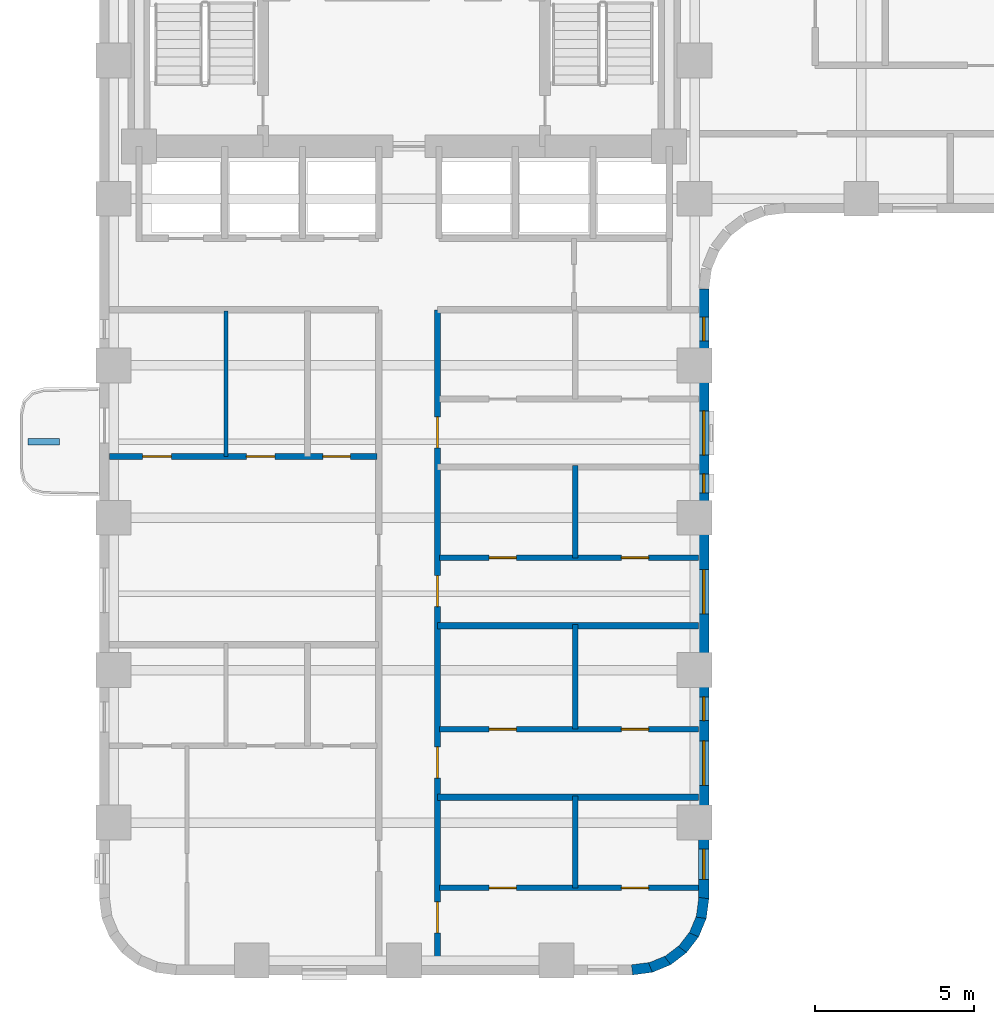
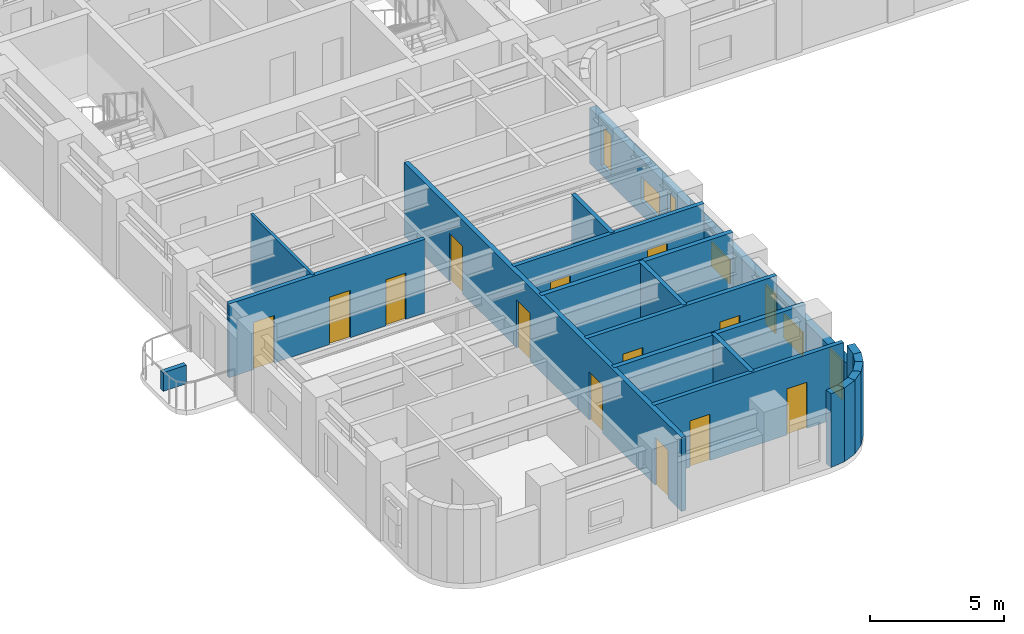
# One storey, part 3 of 12: 19 walls, 13 doors, 7 windows, 20 openings.
"""IFC4 building model written with IfcOpenShell, lengths in metres."""

from ifc_helpers import new_model, si_unit, direction, frame, frame_2d, origin, place, context, subcontext, project, spatial, rectangle, extrude, material, layer, layer_set, type_object, element, fill, save


model = new_model("IFC4")

# Units and contexts
model_context = context("Model", 3, precision=1e-05, world=origin(), true_north=direction((0.0, 1.0)))
body_context = subcontext(model_context, "Body", "Model", "MODEL_VIEW")
ifc_project = project(units=[si_unit("LENGTHUNIT", "METRE"), si_unit("AREAUNIT", "SQUARE_METRE"), si_unit("VOLUMEUNIT", "CUBIC_METRE"), si_unit("PLANEANGLEUNIT", "RADIAN"), si_unit("MASSUNIT", "GRAM", prefix="KILO")], contexts=[model_context])

# Site, building, storey
site_placement = place(None, origin())
site = spatial("IfcSite", under=ifc_project, at=site_placement, CompositionType="ELEMENT")
building_placement = place(site_placement, origin())
building = spatial("IfcBuilding", under=site, at=building_placement, Name="Orvandelia Arch Residences", CompositionType="ELEMENT")
storey_placement = place(building_placement, frame((0.0, 0.0, 57.39990234375)))
storey = spatial("IfcBuildingStorey", under=building, at=storey_placement, Name="L14", CompositionType="ELEMENT", Elevation=57.39990234375)

# Wall, openings, doors
ifc_material_1 = material(Name="Fire-Rated Corridor Partition")
ifc_layer_1 = layer(ifc_material_1, 0.199951171875, Name="Fire-Rated Corridor Partition")
ifc_layer_set_1 = layer_set([ifc_layer_1], Name="Fire-Rated Corridor Partition")
wall_type_1 = type_object("IfcWallType", Name="WL-CORR-200", PredefinedType="PARTITIONING", material=ifc_layer_set_1)
wall_1_placement = place(storey_placement, frame((15.449951171875, 5.1201171875, 0.0), z_axis=(0.0, 0.0, 1.0), x_axis=(0.0, 1.0, 0.0)))
wall_1 = element("IfcWall", 1, at=wall_1_placement, inside=storey, type_object=wall_type_1, Name="Interior Partition Wall WL-L14-WC-E", PredefinedType="PARTITIONING", context=body_context, shape_type="SweptSolid", body=[
    extrude(rectangle(XDim=20.6298828125, YDim=0.199951171875, at=frame_2d((10.31494140625, 0.0))), origin(), (0.0, 0.0, 1.0), 3.35009765625),
])
opening_1_placement = place(wall_1_placement, frame((1.0009765625, 0.0, 0.0)))
opening_1 = element("IfcOpeningElement", 2, at=opening_1_placement, cuts=wall_1, Name="Opening D1", PredefinedType="OPENING", context=body_context, shape_type="SweptSolid", body=[
    extrude(rectangle(XDim=0.97998046875, YDim=2.179931640625, at=frame_2d((0.489990234375, 1.08984375))), frame((0.0, 0.10986328125, 0.0), z_axis=(0.0, -1.0, 0.0), x_axis=(1.0, 0.0, 0.0)), (0.0, 0.0, 1.0), 0.219970703125),
])
opening_2_placement = place(wall_1_placement, frame((5.8798828125, 0.0, 0.0)))
opening_2 = element("IfcOpeningElement", 3, at=opening_2_placement, cuts=wall_1, Name="Opening D1", PredefinedType="OPENING", context=body_context, shape_type="SweptSolid", body=[
    extrude(rectangle(XDim=0.97998046875, YDim=2.179931640625, at=frame_2d((0.489990234375, 1.08984375))), frame((0.0, 0.10986328125, 0.0), z_axis=(0.0, -1.0, 0.0), x_axis=(1.0, 0.0, 0.0)), (0.0, 0.0, 1.0), 0.219970703125),
])
opening_3_placement = place(wall_1_placement, frame((11.280029296875, 0.0, 0.0)))
opening_3 = element("IfcOpeningElement", 4, at=opening_3_placement, cuts=wall_1, Name="Opening D1", PredefinedType="OPENING", context=body_context, shape_type="SweptSolid", body=[
    extrude(rectangle(XDim=0.97998046875, YDim=2.179931640625, at=frame_2d((0.489990234375, 1.08984375))), frame((0.0, 0.10986328125, 0.0), z_axis=(0.0, -1.0, 0.0), x_axis=(1.0, 0.0, 0.0)), (0.0, 0.0, 1.0), 0.219970703125),
])
opening_4_placement = place(wall_1_placement, frame((16.280029296875, 0.0, 0.0)))
opening_4 = element("IfcOpeningElement", 5, at=opening_4_placement, cuts=wall_1, Name="Opening D1", PredefinedType="OPENING", context=body_context, shape_type="SweptSolid", body=[
    extrude(rectangle(XDim=0.97998046875, YDim=2.179931640625, at=frame_2d((0.489990234375, 1.08984375))), frame((0.0, 0.10986328125, 0.0), z_axis=(0.0, -1.0, 0.0), x_axis=(1.0, 0.0, 0.0)), (0.0, 0.0, 1.0), 0.219970703125),
])
ifc_material_2 = material(Name="Solid-Core Timber Acoustic Fire Door", Category="wood")
door_type_1 = type_object("IfcDoorType", Name="DR-ENT-980", OperationType="NOTDEFINED", PredefinedType="DOOR", material=ifc_material_2)
door_1_placement = place(opening_1_placement, origin())
door_1 = element("IfcDoor", 6, at=door_1_placement, inside=storey, type_object=door_type_1, Name="Unit L14-03 Entrance Door", OperationType="SINGLE_SWING_LEFT", OverallHeight=2.179931640625, OverallWidth=0.97998046875, PredefinedType="DOOR", context=body_context, shape_type="SweptSolid", body=[
    extrude(rectangle(XDim=0.97998046875, YDim=2.179931640625, at=frame_2d((0.489990234375, 1.08984375))), frame((0.0, 0.02490234375, 0.0), z_axis=(0.0, -1.0, 0.0), x_axis=(1.0, 0.0, 0.0)), (0.0, 0.0, 1.0), 0.050048828125),
])
fill(opening_1, door_1)
door_2_placement = place(opening_2_placement, origin())
door_2 = element("IfcDoor", 7, at=door_2_placement, inside=storey, type_object=door_type_1, Name="Unit L14-04 Entrance Door", OperationType="SINGLE_SWING_RIGHT", OverallHeight=2.179931640625, OverallWidth=0.97998046875, PredefinedType="DOOR", context=body_context, shape_type="SweptSolid", body=[
    extrude(rectangle(XDim=0.97998046875, YDim=2.179931640625, at=frame_2d((0.489990234375, 1.08984375))), frame((0.0, 0.02490234375, 0.0), z_axis=(0.0, -1.0, 0.0), x_axis=(1.0, 0.0, 0.0)), (0.0, 0.0, 1.0), 0.050048828125),
])
fill(opening_2, door_2)
door_3_placement = place(opening_3_placement, origin())
door_3 = element("IfcDoor", 8, at=door_3_placement, inside=storey, type_object=door_type_1, Name="Unit L14-05 Entrance Door", OperationType="SINGLE_SWING_LEFT", OverallHeight=2.179931640625, OverallWidth=0.97998046875, PredefinedType="DOOR", context=body_context, shape_type="SweptSolid", body=[
    extrude(rectangle(XDim=0.97998046875, YDim=2.179931640625, at=frame_2d((0.489990234375, 1.08984375))), frame((0.0, 0.02490234375, 0.0), z_axis=(0.0, -1.0, 0.0), x_axis=(1.0, 0.0, 0.0)), (0.0, 0.0, 1.0), 0.050048828125),
])
fill(opening_3, door_3)
door_4_placement = place(opening_4_placement, origin())
door_4 = element("IfcDoor", 9, at=door_4_placement, inside=storey, type_object=door_type_1, Name="Unit L14-06 Entrance Door", OperationType="SINGLE_SWING_RIGHT", OverallHeight=2.179931640625, OverallWidth=0.97998046875, PredefinedType="DOOR", context=body_context, shape_type="SweptSolid", body=[
    extrude(rectangle(XDim=0.97998046875, YDim=2.179931640625, at=frame_2d((0.489990234375, 1.08984375))), frame((0.0, 0.02490234375, 0.0), z_axis=(0.0, -1.0, 0.0), x_axis=(1.0, 0.0, 0.0)), (0.0, 0.0, 1.0), 0.050048828125),
])
fill(opening_4, door_4)

# Walls
ifc_material_3 = material(Name="Concrete C40/50", Category="concrete")
ifc_layer_2 = layer(ifc_material_3, 0.199951171875, Name="Concrete C40/50", Category="concrete")
ifc_layer_set_2 = layer_set([ifc_layer_2], Name="Concrete C40/50")
wall_type_2 = type_object("IfcWallType", Name="WL-DEM-200", PredefinedType="SOLIDWALL", material=ifc_layer_set_2)
for number, where, z_axis, x_axis, name in (
    (10, (15.449951171875, 10.39990234375, 0.0), (0.0, 0.0, 1.0), (1.0, 0.0, 0.0), "Interior Partition Wall WL-L14-DEM-WR-104"),
    (11, (15.449951171875, 15.800048828125, 0.0), (0.0, 0.0, 1.0), (1.0, 0.0, 0.0), "Interior Partition Wall WL-L14-DEM-WR-158"),
):
    element("IfcWall", number, at=place(storey_placement, frame(where, z_axis=z_axis, x_axis=x_axis)), inside=storey, type_object=wall_type_2, Name=name, PredefinedType="SOLIDWALL", context=body_context, shape_type="SweptSolid", body=[
        extrude(rectangle(XDim=8.22998046875, YDim=0.199951171875, at=frame_2d((4.114990234375, 0.0))), origin(), (0.0, 0.0, 1.0), 3.35009765625),
    ])

# Wall, openings, windows
ifc_material_4 = material(Name="Precast concrete C40/50", Category="concrete")
ifc_layer_3 = layer(ifc_material_4, 0.320068359375, Name="Precast concrete C40/50", Category="concrete")
ifc_layer_set_3 = layer_set([ifc_layer_3], Name="Precast concrete C40/50")
wall_type_3 = type_object("IfcWallType", Name="WL-EXT-STONE-320", PredefinedType="STANDARD", material=ifc_layer_set_3)
wall_2_placement = place(storey_placement, frame((23.840087890625, 26.39990234375, 0.0), z_axis=(0.0, 0.0, 1.0), x_axis=(0.0, -1.0, 0.0)))
wall_2 = element("IfcWall", 12, at=wall_2_placement, inside=storey, type_object=wall_type_3, Name="Coral-Limestone Precast Facade Wall L14-028", PredefinedType="STANDARD", context=body_context, shape_type="SweptSolid", body=[
    extrude(rectangle(XDim=19.199951171875, YDim=0.320068359375, at=frame_2d((9.60009765625, 0.0))), origin(), (0.0, 0.0, 1.0), 2.530029296875),
])
opening_5_placement = place(wall_2_placement, frame((14.22998046875, 0.0, 0.64990234375)))
opening_5 = element("IfcOpeningElement", 13, at=opening_5_placement, cuts=wall_2, Name="Opening W10", PredefinedType="OPENING", context=body_context, shape_type="SweptSolid", body=[
    extrude(rectangle(XDim=1.39990234375, YDim=1.10009765625, at=frame_2d((0.699951171875, 0.550048828125))), frame((0.0, 0.169921875, 0.0), z_axis=(0.0, -1.0, 0.0), x_axis=(1.0, 0.0, 0.0)), (0.0, 0.0, 1.0), 0.340087890625),
])
opening_6_placement = place(wall_2_placement, frame((8.830078125, 0.0, 0.64990234375)))
opening_6 = element("IfcOpeningElement", 14, at=opening_6_placement, cuts=wall_2, Name="Opening W10", PredefinedType="OPENING", context=body_context, shape_type="SweptSolid", body=[
    extrude(rectangle(XDim=1.39990234375, YDim=1.10009765625, at=frame_2d((0.699951171875, 0.550048828125))), frame((0.0, 0.169921875, 0.0), z_axis=(0.0, -1.0, 0.0), x_axis=(1.0, 0.0, 0.0)), (0.0, 0.0, 1.0), 0.340087890625),
])
opening_7_placement = place(wall_2_placement, frame((3.830078125, 0.0, 0.64990234375)))
opening_7 = element("IfcOpeningElement", 15, at=opening_7_placement, cuts=wall_2, Name="Opening W10", PredefinedType="OPENING", context=body_context, shape_type="SweptSolid", body=[
    extrude(rectangle(XDim=1.39990234375, YDim=1.10009765625, at=frame_2d((0.699951171875, 0.550048828125))), frame((0.0, 0.169921875, 0.0), z_axis=(0.0, -1.0, 0.0), x_axis=(1.0, 0.0, 0.0)), (0.0, 0.0, 1.0), 0.340087890625),
])
opening_8_placement = place(wall_2_placement, frame((17.638916015625, 0.0, 0.449951171875)))
opening_8 = element("IfcOpeningElement", 16, at=opening_8_placement, cuts=wall_2, Name="Opening W4", PredefinedType="OPENING", context=body_context, shape_type="SweptSolid", body=[
    extrude(rectangle(XDim=0.949951171875, YDim=1.800048828125, at=frame_2d((0.47509765625, 0.89990234375))), frame((0.0, 0.169921875, 0.0), z_axis=(0.0, -1.0, 0.0), x_axis=(1.0, 0.0, 0.0)), (0.0, 0.0, 1.0), 0.340087890625),
])
opening_9_placement = place(wall_2_placement, frame((12.840087890625, 0.0, 0.449951171875)))
opening_9 = element("IfcOpeningElement", 17, at=opening_9_placement, cuts=wall_2, Name="Opening W11", PredefinedType="OPENING", context=body_context, shape_type="SweptSolid", body=[
    extrude(rectangle(XDim=0.75, YDim=1.800048828125, at=frame_2d((0.375, 0.89990234375))), frame((0.0, 0.169921875, 0.0), z_axis=(0.0, -1.0, 0.0), x_axis=(1.0, 0.0, 0.0)), (0.0, 0.0, 1.0), 0.340087890625),
])
opening_10_placement = place(wall_2_placement, frame((5.81494140625, 0.0, 0.449951171875)))
opening_10 = element("IfcOpeningElement", 18, at=opening_10_placement, cuts=wall_2, Name="Opening W12", PredefinedType="OPENING", context=body_context, shape_type="SweptSolid", body=[
    extrude(rectangle(XDim=0.60009765625, YDim=1.800048828125, at=frame_2d((0.300048828125, 0.89990234375))), frame((0.0, 0.169921875, 0.0), z_axis=(0.0, -1.0, 0.0), x_axis=(1.0, 0.0, 0.0)), (0.0, 0.0, 1.0), 0.340087890625),
])
opening_11_placement = place(wall_2_placement, frame((0.8798828125, 0.0, 0.449951171875)))
opening_11 = element("IfcOpeningElement", 19, at=opening_11_placement, cuts=wall_2, Name="Opening W11", PredefinedType="OPENING", context=body_context, shape_type="SweptSolid", body=[
    extrude(rectangle(XDim=0.75, YDim=1.800048828125, at=frame_2d((0.375, 0.89990234375))), frame((0.0, 0.169921875, 0.0), z_axis=(0.0, -1.0, 0.0), x_axis=(1.0, 0.0, 0.0)), (0.0, 0.0, 1.0), 0.340087890625),
])
ifc_material_5 = material(Name="Tempered Low-E Insulated Glazing", Category="glass")
window_type_1 = type_object("IfcWindowType", Name="WIN-BED-0750x1800", PartitioningType="SINGLE_PANEL", PredefinedType="WINDOW", material=ifc_material_5)
window_1_placement = place(opening_9_placement, origin())
window_1 = element("IfcWindow", 20, at=window_1_placement, inside=storey, type_object=window_type_1, Name="Recessed Punched Window L14-020", OverallHeight=1.800048828125, OverallWidth=0.75, PartitioningType="SINGLE_PANEL", PredefinedType="WINDOW", context=body_context, shape_type="SweptSolid", body=[
    extrude(rectangle(XDim=0.75, YDim=1.800048828125, at=frame_2d((0.375, 0.89990234375))), frame((0.0, 0.030029296875, 0.0), z_axis=(0.0, -1.0, 0.0), x_axis=(1.0, 0.0, 0.0)), (0.0, 0.0, 1.0), 0.06005859375),
])
fill(opening_9, window_1)
window_2_placement = place(opening_11_placement, origin())
window_2 = element("IfcWindow", 21, at=window_2_placement, inside=storey, type_object=window_type_1, Name="Recessed Punched Window L14-022", OverallHeight=1.800048828125, OverallWidth=0.75, PartitioningType="SINGLE_PANEL", PredefinedType="WINDOW", context=body_context, shape_type="SweptSolid", body=[
    extrude(rectangle(XDim=0.75, YDim=1.800048828125, at=frame_2d((0.375, 0.89990234375))), frame((0.0, 0.030029296875, 0.0), z_axis=(0.0, -1.0, 0.0), x_axis=(1.0, 0.0, 0.0)), (0.0, 0.0, 1.0), 0.06005859375),
])
fill(opening_11, window_2)
window_type_2 = type_object("IfcWindowType", Name="WIN-CLR-1400x1100", PartitioningType="SINGLE_PANEL", PredefinedType="WINDOW", material=ifc_material_5)
window_3_placement = place(opening_5_placement, origin())
window_3 = element("IfcWindow", 22, at=window_3_placement, inside=storey, type_object=window_type_2, Name="Recessed Punched Window L14-016", OverallHeight=1.10009765625, OverallWidth=1.39990234375, PartitioningType="SINGLE_PANEL", PredefinedType="WINDOW", context=body_context, shape_type="SweptSolid", body=[
    extrude(rectangle(XDim=1.39990234375, YDim=1.10009765625, at=frame_2d((0.699951171875, 0.550048828125))), frame((0.0, 0.030029296875, 0.0), z_axis=(0.0, -1.0, 0.0), x_axis=(1.0, 0.0, 0.0)), (0.0, 0.0, 1.0), 0.06005859375),
])
fill(opening_5, window_3)
window_4_placement = place(opening_6_placement, origin())
window_4 = element("IfcWindow", 23, at=window_4_placement, inside=storey, type_object=window_type_2, Name="Recessed Punched Window L14-017", OverallHeight=1.10009765625, OverallWidth=1.39990234375, PartitioningType="SINGLE_PANEL", PredefinedType="WINDOW", context=body_context, shape_type="SweptSolid", body=[
    extrude(rectangle(XDim=1.39990234375, YDim=1.10009765625, at=frame_2d((0.699951171875, 0.550048828125))), frame((0.0, 0.030029296875, 0.0), z_axis=(0.0, -1.0, 0.0), x_axis=(1.0, 0.0, 0.0)), (0.0, 0.0, 1.0), 0.06005859375),
])
fill(opening_6, window_4)
window_5_placement = place(opening_7_placement, origin())
window_5 = element("IfcWindow", 24, at=window_5_placement, inside=storey, type_object=window_type_2, Name="Recessed Punched Window L14-018", OverallHeight=1.10009765625, OverallWidth=1.39990234375, PartitioningType="SINGLE_PANEL", PredefinedType="WINDOW", context=body_context, shape_type="SweptSolid", body=[
    extrude(rectangle(XDim=1.39990234375, YDim=1.10009765625, at=frame_2d((0.699951171875, 0.550048828125))), frame((0.0, 0.030029296875, 0.0), z_axis=(0.0, -1.0, 0.0), x_axis=(1.0, 0.0, 0.0)), (0.0, 0.0, 1.0), 0.06005859375),
])
fill(opening_7, window_5)
window_type_3 = type_object("IfcWindowType", Name="WIN-LAN-0600x1800", PartitioningType="SINGLE_PANEL", PredefinedType="WINDOW", material=ifc_material_5)
window_6_placement = place(opening_10_placement, origin())
window_6 = element("IfcWindow", 25, at=window_6_placement, inside=storey, type_object=window_type_3, Name="Recessed Punched Window L14-021", OverallHeight=1.800048828125, OverallWidth=0.60009765625, PartitioningType="SINGLE_PANEL", PredefinedType="WINDOW", context=body_context, shape_type="SweptSolid", body=[
    extrude(rectangle(XDim=0.60009765625, YDim=1.800048828125, at=frame_2d((0.300048828125, 0.89990234375))), frame((0.0, 0.030029296875, 0.0), z_axis=(0.0, -1.0, 0.0), x_axis=(1.0, 0.0, 0.0)), (0.0, 0.0, 1.0), 0.06005859375),
])
fill(opening_10, window_6)
window_type_4 = type_object("IfcWindowType", Name="WIN-RES-0950x1800", PartitioningType="SINGLE_PANEL", PredefinedType="WINDOW", material=ifc_material_5)
window_7_placement = place(opening_8_placement, origin())
window_7 = element("IfcWindow", 26, at=window_7_placement, inside=storey, type_object=window_type_4, Name="Recessed Punched Window L14-019", OverallHeight=1.800048828125, OverallWidth=0.949951171875, PartitioningType="SINGLE_PANEL", PredefinedType="WINDOW", context=body_context, shape_type="SweptSolid", body=[
    extrude(rectangle(XDim=0.949951171875, YDim=1.800048828125, at=frame_2d((0.47509765625, 0.89990234375))), frame((0.0, 0.030029296875, 0.0), z_axis=(0.0, -1.0, 0.0), x_axis=(1.0, 0.0, 0.0)), (0.0, 0.0, 1.0), 0.06005859375),
])
fill(opening_8, window_7)

# Walls
wall_3_placement = place(storey_placement, frame((23.84130859375, 7.220947265625, 0.0), z_axis=(0.0, 0.0, 1.0), x_axis=(-0.130504898859, -0.991447664465, 0.0)))
element("IfcWall", 27, at=wall_3_placement, inside=storey, type_object=wall_type_3, Name="Coral-Limestone Precast Facade Wall L14-029", PredefinedType="STANDARD", context=body_context, shape_type="SweptSolid", body=[
    extrude(rectangle(XDim=0.626708984375, YDim=0.320068359375, at=frame_2d((0.3134765625, 0.0))), origin(), (0.0, 0.0, 1.0), 3.35009765625),
])
wall_4_placement = place(storey_placement, frame((23.7705078125, 6.639892578125, 0.0), z_axis=(0.0, 0.0, 1.0), x_axis=(-0.382787856107, -0.923836271867, 0.0)))
element("IfcWall", 28, at=wall_4_placement, inside=storey, type_object=wall_type_3, Name="Coral-Limestone Precast Facade Wall L14-030", PredefinedType="STANDARD", context=body_context, shape_type="SweptSolid", body=[
    extrude(rectangle(XDim=0.626220703125, YDim=0.320068359375, at=frame_2d((0.31298828125, 0.0))), origin(), (0.0, 0.0, 1.0), 3.35009765625),
])
wall_5_placement = place(storey_placement, frame((23.551513671875, 6.097412109375, 0.0), z_axis=(0.0, 0.0, 1.0), x_axis=(-0.608693302629, -0.793405610854, 0.0)))
element("IfcWall", 29, at=wall_5_placement, inside=storey, type_object=wall_type_3, Name="Coral-Limestone Precast Facade Wall L14-031", PredefinedType="STANDARD", context=body_context, shape_type="SweptSolid", body=[
    extrude(rectangle(XDim=0.62646484375, YDim=0.320068359375, at=frame_2d((0.313232421875, 0.0))), origin(), (0.0, 0.0, 1.0), 3.35009765625),
])
wall_6_placement = place(storey_placement, frame((23.19970703125, 5.6298828125, 0.0), z_axis=(0.0, 0.0, 1.0), x_axis=(-0.7932174212, -0.608938521285, 0.0)))
element("IfcWall", 30, at=wall_6_placement, inside=storey, type_object=wall_type_3, Name="Coral-Limestone Precast Facade Wall L14-032", PredefinedType="STANDARD", context=body_context, shape_type="SweptSolid", body=[
    extrude(rectangle(XDim=0.626708984375, YDim=0.320068359375, at=frame_2d((0.3134765625, 0.0))), origin(), (0.0, 0.0, 1.0), 3.35009765625),
])
for number, where, z_axis, x_axis, name in (
    (31, (22.73876953125, 5.269287109375, 0.0), (0.0, 0.0, 1.0), (-0.92389335771, -0.382650053678, 0.0), "Coral-Limestone Precast Facade Wall L14-033"),
    (32, (22.2001953125, 5.040283203125, 0.0), (0.0, 0.0, 1.0), (-0.9914410257, -0.130555323746, 0.0), "Coral-Limestone Precast Facade Wall L14-034"),
):
    element("IfcWall", number, at=place(storey_placement, frame(where, z_axis=z_axis, x_axis=x_axis)), inside=storey, type_object=wall_type_3, Name=name, PredefinedType="STANDARD", context=body_context, shape_type="SweptSolid", body=[
        extrude(rectangle(XDim=0.62646484375, YDim=0.320068359375, at=frame_2d((0.313232421875, 0.0))), origin(), (0.0, 0.0, 1.0), 3.35009765625),
    ])
ifc_material_6 = material(Name="Lightweight Gypsum Stud Partition")
ifc_layer_4 = layer(ifc_material_6, 0.1201171875, Name="Lightweight Gypsum Stud Partition")
ifc_layer_set_4 = layer_set([ifc_layer_4], Name="Lightweight Gypsum Stud Partition")
wall_type_4 = type_object("IfcWallType", Name="WL-PART-120", PredefinedType="PARTITIONING", material=ifc_layer_set_4)
wall_7_placement = place(storey_placement, frame((8.791015625, 21.132080078125, 0.0), z_axis=(0.0, 0.0, 1.0), x_axis=(0.0, 1.0, 0.0)))
element("IfcWall", 33, at=wall_7_placement, inside=storey, type_object=wall_type_4, Name="Interior Partition Wall WL-L14-U02-V1", PredefinedType="PARTITIONING", context=body_context, shape_type="SweptSolid", body=[
    extrude(rectangle(XDim=4.587890625, YDim=0.1201171875, at=frame_2d((2.2939453125, 0.0))), origin(), (0.0, 0.0, 1.0), 3.35009765625),
])
ifc_layer_5 = layer(ifc_material_4, 0.199951171875, Name="Precast concrete C40/50", Category="concrete")
ifc_layer_set_5 = layer_set([ifc_layer_5], Name="Precast concrete C40/50")
wall_type_5 = type_object("IfcWallType", Name="WL-PLANTER-200", PredefinedType="MOVABLE", material=ifc_layer_set_5)
wall_8_placement = place(storey_placement, frame((2.550048828125, 21.60009765625, 0.0), z_axis=(0.0, 0.0, 1.0), x_axis=(1.0, 0.0, 0.0)))
element("IfcWall", 34, at=wall_8_placement, inside=storey, type_object=wall_type_5, Name="Balcony Precast Tree Planter BAL-L14-W1", PredefinedType="MOVABLE", context=body_context, shape_type="SweptSolid", body=[
    extrude(rectangle(XDim=1.0, YDim=0.199951171875, at=frame_2d((0.5, 0.0))), origin(), (0.0, 0.0, 1.0), 0.85009765625),
])

# Wall, openings, doors
ifc_material_7 = material(Name="Moisture-Resistant Plumbing Wall")
ifc_layer_6 = layer(ifc_material_7, 0.179931640625, Name="Moisture-Resistant Plumbing Wall")
ifc_layer_set_6 = layer_set([ifc_layer_6], Name="Moisture-Resistant Plumbing Wall")
wall_type_6 = type_object("IfcWallType", Name="WL-WET-180", PredefinedType="PLUMBINGWALL", material=ifc_layer_set_6)
wall_9_placement = place(storey_placement, frame((5.1201171875, 21.132080078125, 0.0), z_axis=(0.0, 0.0, 1.0), x_axis=(1.0, 0.0, 0.0)))
wall_9 = element("IfcWall", 35, at=wall_9_placement, inside=storey, type_object=wall_type_6, Name="Interior Partition Wall WL-L14-U02-HZ", PredefinedType="PLUMBINGWALL", context=body_context, shape_type="SweptSolid", body=[
    extrude(rectangle(XDim=8.419921875, YDim=0.179931640625, at=frame_2d((4.2099609375, 0.0))), origin(), (0.0, 0.0, 1.0), 3.35009765625),
])
opening_12_placement = place(wall_9_placement, frame((1.04638671875, 0.0, 0.0)))
opening_12 = element("IfcOpeningElement", 36, at=opening_12_placement, cuts=wall_9, Name="Opening D3", PredefinedType="OPENING", context=body_context, shape_type="SweptSolid", body=[
    extrude(rectangle(XDim=0.89990234375, YDim=2.14990234375, at=frame_2d((0.449951171875, 1.074951171875))), frame((0.0, 0.10009765625, 0.0), z_axis=(0.0, -1.0, 0.0), x_axis=(1.0, 0.0, 0.0)), (0.0, 0.0, 1.0), 0.199951171875),
])
opening_13_placement = place(wall_9_placement, frame((4.307373046875, 0.0, 0.0)))
opening_13 = element("IfcOpeningElement", 37, at=opening_13_placement, cuts=wall_9, Name="Opening D3", PredefinedType="OPENING", context=body_context, shape_type="SweptSolid", body=[
    extrude(rectangle(XDim=0.89990234375, YDim=2.14990234375, at=frame_2d((0.449951171875, 1.074951171875))), frame((0.0, 0.10009765625, 0.0), z_axis=(0.0, -1.0, 0.0), x_axis=(1.0, 0.0, 0.0)), (0.0, 0.0, 1.0), 0.199951171875),
])
opening_14_placement = place(wall_9_placement, frame((6.723388671875, 0.0, 0.0)))
opening_14 = element("IfcOpeningElement", 38, at=opening_14_placement, cuts=wall_9, Name="Opening D4", PredefinedType="OPENING", context=body_context, shape_type="SweptSolid", body=[
    extrude(rectangle(XDim=0.860107421875, YDim=2.10009765625, at=frame_2d((0.43017578125, 1.050048828125))), frame((0.0, 0.10009765625, 0.0), z_axis=(0.0, -1.0, 0.0), x_axis=(1.0, 0.0, 0.0)), (0.0, 0.0, 1.0), 0.199951171875),
])
ifc_material_8 = material(Name="Engineered Timber Flush Door", Category="wood")
door_type_2 = type_object("IfcDoorType", Name="DR-INT-900", OperationType="NOTDEFINED", PredefinedType="DOOR", material=ifc_material_8)
door_5_placement = place(opening_12_placement, origin())
door_5 = element("IfcDoor", 39, at=door_5_placement, inside=storey, type_object=door_type_2, Name="DR-L14-U02-BD1", OperationType="SINGLE_SWING_RIGHT", OverallHeight=2.14990234375, OverallWidth=0.89990234375, PredefinedType="DOOR", context=body_context, shape_type="SweptSolid", body=[
    extrude(rectangle(XDim=0.89990234375, YDim=2.14990234375, at=frame_2d((0.449951171875, 1.074951171875))), frame((0.0, 0.02490234375, 0.0), z_axis=(0.0, -1.0, 0.0), x_axis=(1.0, 0.0, 0.0)), (0.0, 0.0, 1.0), 0.050048828125),
])
fill(opening_12, door_5)
door_6_placement = place(opening_13_placement, origin())
door_6 = element("IfcDoor", 40, at=door_6_placement, inside=storey, type_object=door_type_2, Name="DR-L14-U02-KIT", OperationType="SINGLE_SWING_LEFT", OverallHeight=2.14990234375, OverallWidth=0.89990234375, PredefinedType="DOOR", context=body_context, shape_type="SweptSolid", body=[
    extrude(rectangle(XDim=0.89990234375, YDim=2.14990234375, at=frame_2d((0.449951171875, 1.074951171875))), frame((0.0, 0.02490234375, 0.0), z_axis=(0.0, -1.0, 0.0), x_axis=(1.0, 0.0, 0.0)), (0.0, 0.0, 1.0), 0.050048828125),
])
fill(opening_13, door_6)
ifc_material_9 = material(Name="Moisture-Sealed Timber Bathroom Door", Category="wood")
door_type_3 = type_object("IfcDoorType", Name="DR-WET-900", OperationType="NOTDEFINED", PredefinedType="DOOR", material=ifc_material_9)
door_7_placement = place(opening_14_placement, origin())
door_7 = element("IfcDoor", 41, at=door_7_placement, inside=storey, type_object=door_type_3, Name="DR-L14-U02-BTH", OperationType="SINGLE_SWING_RIGHT", OverallHeight=2.10009765625, OverallWidth=0.860107421875, PredefinedType="DOOR", context=body_context, shape_type="SweptSolid", body=[
    extrude(rectangle(XDim=0.860107421875, YDim=2.10009765625, at=frame_2d((0.43017578125, 1.050048828125))), frame((0.0, 0.02490234375, 0.0), z_axis=(0.0, -1.0, 0.0), x_axis=(1.0, 0.0, 0.0)), (0.0, 0.0, 1.0), 0.050048828125),
])
fill(opening_14, door_7)

wall_10_placement = place(storey_placement, frame((15.510009765625, 7.5419921875, 0.0), z_axis=(0.0, 0.0, 1.0), x_axis=(1.0, 0.0, 0.0)))
wall_10 = element("IfcWall", 42, at=wall_10_placement, inside=storey, type_object=wall_type_6, Name="Interior Partition Wall WL-L14-U03-HZ", PredefinedType="PLUMBINGWALL", context=body_context, shape_type="SweptSolid", body=[
    extrude(rectangle(XDim=8.169921875, YDim=0.179931640625, at=frame_2d((4.0849609375, 0.0))), origin(), (0.0, 0.0, 1.0), 3.35009765625),
])
opening_15_placement = place(wall_10_placement, frame((1.56494140625, 0.0, 0.0)))
opening_15 = element("IfcOpeningElement", 43, at=opening_15_placement, cuts=wall_10, Name="Opening D4", PredefinedType="OPENING", context=body_context, shape_type="SweptSolid", body=[
    extrude(rectangle(XDim=0.860107421875, YDim=2.10009765625, at=frame_2d((0.43017578125, 1.050048828125))), frame((0.0, 0.10009765625, 0.0), z_axis=(0.0, -1.0, 0.0), x_axis=(1.0, 0.0, 0.0)), (0.0, 0.0, 1.0), 0.199951171875),
])
opening_16_placement = place(wall_10_placement, frame((5.72998046875, 0.0, 0.0)))
opening_16 = element("IfcOpeningElement", 44, at=opening_16_placement, cuts=wall_10, Name="Opening D4", PredefinedType="OPENING", context=body_context, shape_type="SweptSolid", body=[
    extrude(rectangle(XDim=0.860107421875, YDim=2.10009765625, at=frame_2d((0.43017578125, 1.050048828125))), frame((0.0, 0.10009765625, 0.0), z_axis=(0.0, -1.0, 0.0), x_axis=(1.0, 0.0, 0.0)), (0.0, 0.0, 1.0), 0.199951171875),
])
door_8_placement = place(opening_15_placement, origin())
door_8 = element("IfcDoor", 45, at=door_8_placement, inside=storey, type_object=door_type_3, Name="DR-L14-U03-KIT", OperationType="SINGLE_SWING_LEFT", OverallHeight=2.10009765625, OverallWidth=0.860107421875, PredefinedType="DOOR", context=body_context, shape_type="SweptSolid", body=[
    extrude(rectangle(XDim=0.860107421875, YDim=2.10009765625, at=frame_2d((0.43017578125, 1.050048828125))), frame((0.0, 0.02490234375, 0.0), z_axis=(0.0, -1.0, 0.0), x_axis=(1.0, 0.0, 0.0)), (0.0, 0.0, 1.0), 0.050048828125),
])
fill(opening_15, door_8)
door_9_placement = place(opening_16_placement, origin())
door_9 = element("IfcDoor", 46, at=door_9_placement, inside=storey, type_object=door_type_3, Name="DR-L14-U03-BTH", OperationType="SINGLE_SWING_RIGHT", OverallHeight=2.10009765625, OverallWidth=0.860107421875, PredefinedType="DOOR", context=body_context, shape_type="SweptSolid", body=[
    extrude(rectangle(XDim=0.860107421875, YDim=2.10009765625, at=frame_2d((0.43017578125, 1.050048828125))), frame((0.0, 0.02490234375, 0.0), z_axis=(0.0, -1.0, 0.0), x_axis=(1.0, 0.0, 0.0)), (0.0, 0.0, 1.0), 0.050048828125),
])
fill(opening_16, door_9)

# Wall
wall_11_placement = place(storey_placement, frame((19.7900390625, 7.5419921875, 0.0), z_axis=(0.0, 0.0, 1.0), x_axis=(0.0, 1.0, 0.0)))
element("IfcWall", 47, at=wall_11_placement, inside=storey, type_object=wall_type_6, Name="Interior Partition Wall WL-L14-U03-V1", PredefinedType="PLUMBINGWALL", context=body_context, shape_type="SweptSolid", body=[
    extrude(rectangle(XDim=2.89794921875, YDim=0.179931640625, at=frame_2d((1.448974609375, 0.0))), origin(), (0.0, 0.0, 1.0), 3.35009765625),
])

# Wall, openings, doors
wall_12_placement = place(storey_placement, frame((15.510009765625, 12.5400390625, 0.0), z_axis=(0.0, 0.0, 1.0), x_axis=(1.0, 0.0, 0.0)))
wall_12 = element("IfcWall", 48, at=wall_12_placement, inside=storey, type_object=wall_type_6, Name="Interior Partition Wall WL-L14-U04-HZ", PredefinedType="PLUMBINGWALL", context=body_context, shape_type="SweptSolid", body=[
    extrude(rectangle(XDim=8.169921875, YDim=0.179931640625, at=frame_2d((4.0849609375, 0.0))), origin(), (0.0, 0.0, 1.0), 3.35009765625),
])
opening_17_placement = place(wall_12_placement, frame((1.56494140625, 0.0, 0.0)))
opening_17 = element("IfcOpeningElement", 49, at=opening_17_placement, cuts=wall_12, Name="Opening D4", PredefinedType="OPENING", context=body_context, shape_type="SweptSolid", body=[
    extrude(rectangle(XDim=0.860107421875, YDim=2.10009765625, at=frame_2d((0.43017578125, 1.050048828125))), frame((0.0, 0.10009765625, 0.0), z_axis=(0.0, -1.0, 0.0), x_axis=(1.0, 0.0, 0.0)), (0.0, 0.0, 1.0), 0.199951171875),
])
opening_18_placement = place(wall_12_placement, frame((5.72998046875, 0.0, 0.0)))
opening_18 = element("IfcOpeningElement", 50, at=opening_18_placement, cuts=wall_12, Name="Opening D4", PredefinedType="OPENING", context=body_context, shape_type="SweptSolid", body=[
    extrude(rectangle(XDim=0.860107421875, YDim=2.10009765625, at=frame_2d((0.43017578125, 1.050048828125))), frame((0.0, 0.10009765625, 0.0), z_axis=(0.0, -1.0, 0.0), x_axis=(1.0, 0.0, 0.0)), (0.0, 0.0, 1.0), 0.199951171875),
])
door_10_placement = place(opening_17_placement, origin())
door_10 = element("IfcDoor", 51, at=door_10_placement, inside=storey, type_object=door_type_3, Name="DR-L14-U04-KIT", OperationType="SINGLE_SWING_RIGHT", OverallHeight=2.10009765625, OverallWidth=0.860107421875, PredefinedType="DOOR", context=body_context, shape_type="SweptSolid", body=[
    extrude(rectangle(XDim=0.860107421875, YDim=2.10009765625, at=frame_2d((0.43017578125, 1.050048828125))), frame((0.0, 0.02490234375, 0.0), z_axis=(0.0, -1.0, 0.0), x_axis=(1.0, 0.0, 0.0)), (0.0, 0.0, 1.0), 0.050048828125),
])
fill(opening_17, door_10)
door_11_placement = place(opening_18_placement, origin())
door_11 = element("IfcDoor", 52, at=door_11_placement, inside=storey, type_object=door_type_3, Name="DR-L14-U04-BTH", OperationType="SINGLE_SWING_LEFT", OverallHeight=2.10009765625, OverallWidth=0.860107421875, PredefinedType="DOOR", context=body_context, shape_type="SweptSolid", body=[
    extrude(rectangle(XDim=0.860107421875, YDim=2.10009765625, at=frame_2d((0.43017578125, 1.050048828125))), frame((0.0, 0.02490234375, 0.0), z_axis=(0.0, -1.0, 0.0), x_axis=(1.0, 0.0, 0.0)), (0.0, 0.0, 1.0), 0.050048828125),
])
fill(opening_18, door_11)

# Wall
wall_13_placement = place(storey_placement, frame((19.7900390625, 12.5400390625, 0.0), z_axis=(0.0, 0.0, 1.0), x_axis=(0.0, 1.0, 0.0)))
element("IfcWall", 53, at=wall_13_placement, inside=storey, type_object=wall_type_6, Name="Interior Partition Wall WL-L14-U04-V1", PredefinedType="PLUMBINGWALL", context=body_context, shape_type="SweptSolid", body=[
    extrude(rectangle(XDim=3.300048828125, YDim=0.179931640625, at=frame_2d((1.64990234375, 0.0))), origin(), (0.0, 0.0, 1.0), 3.35009765625),
])

# Wall, openings, doors
wall_14_placement = place(storey_placement, frame((15.510009765625, 17.93994140625, 0.0), z_axis=(0.0, 0.0, 1.0), x_axis=(1.0, 0.0, 0.0)))
wall_14 = element("IfcWall", 54, at=wall_14_placement, inside=storey, type_object=wall_type_6, Name="Interior Partition Wall WL-L14-U05-HZ", PredefinedType="PLUMBINGWALL", context=body_context, shape_type="SweptSolid", body=[
    extrude(rectangle(XDim=8.169921875, YDim=0.179931640625, at=frame_2d((4.0849609375, 0.0))), origin(), (0.0, 0.0, 1.0), 3.35009765625),
])
opening_19_placement = place(wall_14_placement, frame((1.56494140625, 0.0, 0.0)))
opening_19 = element("IfcOpeningElement", 55, at=opening_19_placement, cuts=wall_14, Name="Opening D4", PredefinedType="OPENING", context=body_context, shape_type="SweptSolid", body=[
    extrude(rectangle(XDim=0.860107421875, YDim=2.10009765625, at=frame_2d((0.43017578125, 1.050048828125))), frame((0.0, 0.10009765625, 0.0), z_axis=(0.0, -1.0, 0.0), x_axis=(1.0, 0.0, 0.0)), (0.0, 0.0, 1.0), 0.199951171875),
])
opening_20_placement = place(wall_14_placement, frame((5.72998046875, 0.0, 0.0)))
opening_20 = element("IfcOpeningElement", 56, at=opening_20_placement, cuts=wall_14, Name="Opening D4", PredefinedType="OPENING", context=body_context, shape_type="SweptSolid", body=[
    extrude(rectangle(XDim=0.860107421875, YDim=2.10009765625, at=frame_2d((0.43017578125, 1.050048828125))), frame((0.0, 0.10009765625, 0.0), z_axis=(0.0, -1.0, 0.0), x_axis=(1.0, 0.0, 0.0)), (0.0, 0.0, 1.0), 0.199951171875),
])
door_12_placement = place(opening_19_placement, origin())
door_12 = element("IfcDoor", 57, at=door_12_placement, inside=storey, type_object=door_type_3, Name="DR-L14-U05-KIT", OperationType="SINGLE_SWING_LEFT", OverallHeight=2.10009765625, OverallWidth=0.860107421875, PredefinedType="DOOR", context=body_context, shape_type="SweptSolid", body=[
    extrude(rectangle(XDim=0.860107421875, YDim=2.10009765625, at=frame_2d((0.43017578125, 1.050048828125))), frame((0.0, 0.02490234375, 0.0), z_axis=(0.0, -1.0, 0.0), x_axis=(1.0, 0.0, 0.0)), (0.0, 0.0, 1.0), 0.050048828125),
])
fill(opening_19, door_12)
door_13_placement = place(opening_20_placement, origin())
door_13 = element("IfcDoor", 58, at=door_13_placement, inside=storey, type_object=door_type_3, Name="DR-L14-U05-BTH", OperationType="SINGLE_SWING_RIGHT", OverallHeight=2.10009765625, OverallWidth=0.860107421875, PredefinedType="DOOR", context=body_context, shape_type="SweptSolid", body=[
    extrude(rectangle(XDim=0.860107421875, YDim=2.10009765625, at=frame_2d((0.43017578125, 1.050048828125))), frame((0.0, 0.02490234375, 0.0), z_axis=(0.0, -1.0, 0.0), x_axis=(1.0, 0.0, 0.0)), (0.0, 0.0, 1.0), 0.050048828125),
])
fill(opening_20, door_13)

# Wall
wall_15_placement = place(storey_placement, frame((19.7900390625, 17.93994140625, 0.0), z_axis=(0.0, 0.0, 1.0), x_axis=(0.0, 1.0, 0.0)))
element("IfcWall", 59, at=wall_15_placement, inside=storey, type_object=wall_type_6, Name="Interior Partition Wall WL-L14-U05-V1", PredefinedType="PLUMBINGWALL", context=body_context, shape_type="SweptSolid", body=[
    extrude(rectangle(XDim=2.900146484375, YDim=0.179931640625, at=frame_2d((1.4501953125, 0.0))), origin(), (0.0, 0.0, 1.0), 3.35009765625),
])

save(model, "model.ifc")
